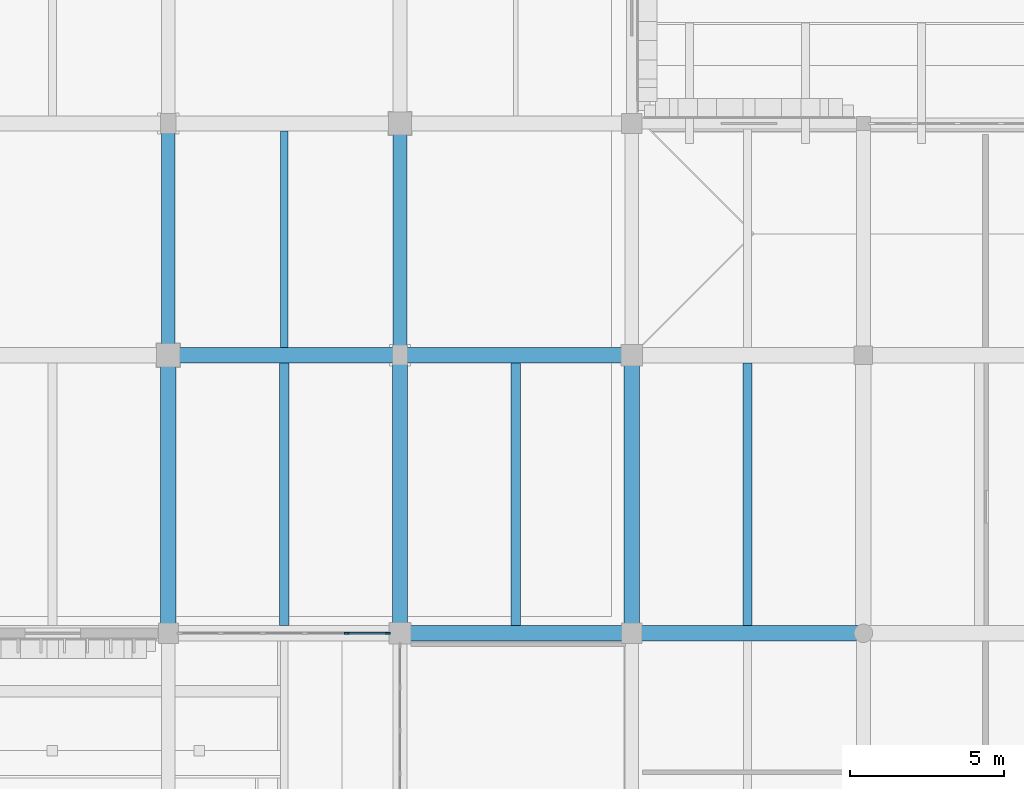
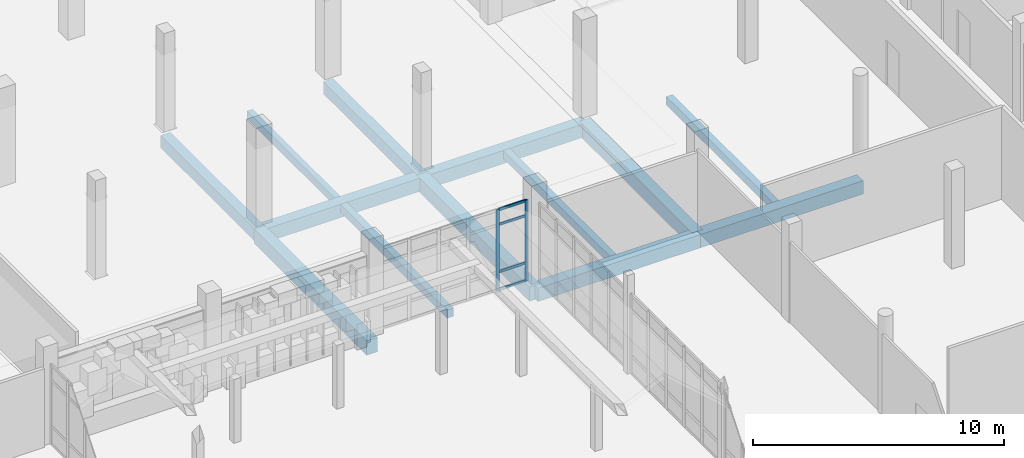
# One storey, part 63 of 125: 13 beams, 6 members, 1 element without a shape of its own.
"""IFC4 building model written with IfcOpenShell, lengths in metres."""

import ifcopenshell
import ifcopenshell.guid

model = None  # the IFC model being written
_history = None  # IfcOwnerHistory: only IFC2X3 demands one
_inside = {}  # id of a spatial element -> (the spatial element, [elements in it])
_under = {}  # id of a project, library or spatial element -> (it, [spatial elements below it])
_declared = {}  # id of a project -> (the project, [libraries it declares])
_typed = {}  # id of a type object -> (the type object, [elements of that type])
_made_of = {}  # id of a material, layer set ... -> (it, [elements and type objects made of it])


def new_model(schema):
    """Start an empty IFC model of exactly this schema.

    Asked for "IFC4X3", IfcOpenShell would pick the latest addendum, in which some entities
    have other attributes; the version numbers below select the first issue.
    IFC2X3 requires an IfcOwnerHistory on every rooted entity: one is made here for all.
    """
    global model, _history
    if schema == "IFC4X3":
        model = ifcopenshell.file(schema_version=(4, 3, 0, 0))
    else:
        model = ifcopenshell.file(schema=schema)
    _inside.clear()
    _under.clear()
    _declared.clear()
    _typed.clear()
    _made_of.clear()
    _history = None
    if model.schema == "IFC2X3":
        org = make("IfcOrganization", Name="unknown")
        user = make(
            "IfcPersonAndOrganization",
            ThePerson=make("IfcPerson", FamilyName="unknown"),
            TheOrganization=org,
        )
        app = make(
            "IfcApplication",
            ApplicationDeveloper=org,
            Version="unknown",
            ApplicationFullName="unknown",
            ApplicationIdentifier="unknown",
        )
        _history = make(
            "IfcOwnerHistory",
            OwningUser=user,
            OwningApplication=app,
            ChangeAction="ADDED",
            CreationDate=0,
        )
    return model


def make(cls, **values):
    """One entity of the class cls with the attributes given. An attribute that is None is left unset."""
    return model.create_entity(
        cls, **{name: value for name, value in values.items() if value is not None}
    )


def rooted(cls, **values):
    """An entity with a GlobalId (a new one), such as an element, a storey or a relation."""
    return make(cls, GlobalId=ifcopenshell.guid.new(), OwnerHistory=_history, **values)


def si_unit(unit_type, name, prefix=None):
    """IfcSIUnit, for example si_unit("LENGTHUNIT", "METRE", prefix="MILLI")."""
    return make("IfcSIUnit", UnitType=unit_type, Prefix=prefix, Name=name)


def assignment(units):
    """IfcUnitAssignment: the units of a project."""
    return None if units is None else make("IfcUnitAssignment", Units=units)


def point(xyz):
    """IfcCartesianPoint."""
    return None if xyz is None else make("IfcCartesianPoint", Coordinates=xyz)


def direction(xyz):
    """IfcDirection."""
    return None if xyz is None else make("IfcDirection", DirectionRatios=xyz)


def frame(location, z_axis=None, x_axis=None):
    """IfcAxis2Placement3D, a coordinate frame: its origin and axes. An axis left out is left unset."""
    return make(
        "IfcAxis2Placement3D",
        Location=point(location),
        Axis=direction(z_axis),
        RefDirection=direction(x_axis),
    )


def frame_2d(location, x_axis=None):
    """IfcAxis2Placement2D, a coordinate frame in the plane: its origin and x axis."""
    return make(
        "IfcAxis2Placement2D", Location=point(location), RefDirection=direction(x_axis)
    )


def origin():
    """The frame at (0, 0, 0) with its axes left unset."""
    return frame((0.0, 0.0, 0.0))


def origin_2d():
    """The frame at (0, 0) in the plane with its x axis left unset."""
    return frame_2d((0.0, 0.0))


def place(relative_to, where):
    """IfcLocalPlacement: puts the frame where relative to a parent placement (None: the world)."""
    return make(
        "IfcLocalPlacement", PlacementRelTo=relative_to, RelativePlacement=where
    )


def context(
    kind, dimensions, precision=None, world=None, true_north=None, identifier=None
):
    """IfcGeometricRepresentationContext, for example the 3D "Model" context."""
    return make(
        "IfcGeometricRepresentationContext",
        ContextIdentifier=identifier,
        ContextType=kind,
        CoordinateSpaceDimension=dimensions,
        Precision=precision,
        WorldCoordinateSystem=world,
        TrueNorth=true_north,
    )


def subcontext(parent, identifier, kind, view, scale=None):
    """IfcGeometricRepresentationSubContext, for example "Body" below "Model"."""
    return make(
        "IfcGeometricRepresentationSubContext",
        ContextIdentifier=identifier,
        ContextType=kind,
        ParentContext=parent,
        TargetScale=scale,
        TargetView=view,
    )


def project(units=None, contexts=None):
    """IfcProject with its units and contexts."""
    return rooted(
        "IfcProject",
        Name="project",
        RepresentationContexts=contexts,
        UnitsInContext=assignment(units),
    )


def spatial(cls, under=None, at=None, **own):
    """A site, building, storey or space (cls), placed at a placement, below another one or the project."""
    s = rooted(cls, ObjectPlacement=at, **own)
    if under is not None:
        _under.setdefault(under.id(), (under, []))[1].append(s)
    return s


def profile(cls, at=None, kind="AREA", **sizes):
    """A parametric profile (cls). Its sizes go by their IFC names, for example OverallWidth=200.0."""
    return make(cls, ProfileType=kind, Position=at, **sizes)


def rectangle(**sizes):
    """IfcRectangleProfileDef."""
    return profile("IfcRectangleProfileDef", **sizes)


def extrude(swept, where, along, depth):
    """IfcExtrudedAreaSolid: the profile swept, set in the frame where, extruded along a direction by depth."""
    return make(
        "IfcExtrudedAreaSolid",
        SweptArea=swept,
        Position=where,
        ExtrudedDirection=direction(along),
        Depth=depth,
    )


def shape(context_of_items, identifier, shape_type, items):
    """IfcShapeRepresentation: the items that make up one representation, for example the "Body"."""
    return make(
        "IfcShapeRepresentation",
        ContextOfItems=context_of_items,
        RepresentationIdentifier=identifier,
        RepresentationType=shape_type,
        Items=items,
    )


def material(Name=None, Category=None):
    """IfcMaterial."""
    return make("IfcMaterial", Name=Name, Category=Category)


def layer(
    of_material, thickness, ventilated=None, Name=None, Category=None, Priority=None
):
    """IfcMaterialLayer: one layer of a wall or slab, of a material (None: an air gap)."""
    return make(
        "IfcMaterialLayer",
        Material=of_material,
        LayerThickness=thickness,
        IsVentilated=ventilated,
        Name=Name,
        Category=Category,
        Priority=Priority,
    )


def layer_set(layers, Name=None):
    """IfcMaterialLayerSet."""
    return make("IfcMaterialLayerSet", MaterialLayers=layers, LayerSetName=Name)


def material_profile(
    of_material, cross_section, Name=None, Category=None, Priority=None
):
    """IfcMaterialProfile: a cross section and its material."""
    return make(
        "IfcMaterialProfile",
        Name=Name,
        Material=of_material,
        Profile=cross_section,
        Priority=Priority,
        Category=Category,
    )


def profile_set(profiles, Name=None, composite=None):
    """IfcMaterialProfileSet."""
    return make(
        "IfcMaterialProfileSet",
        Name=Name,
        MaterialProfiles=profiles,
        CompositeProfile=composite,
    )


def made_of(thing, what):
    """Note that an element or type object is made of a material, layer set ...; save() writes the relation."""
    if what is not None:
        _made_of.setdefault(what.id(), (what, []))[1].append(thing)
    return thing


def type_object(cls, material=None, **own):
    """A type object (cls), such as IfcWallType, which elements share."""
    return made_of(rooted(cls, **own), material)


def element(
    cls,
    number,
    at=None,
    inside=None,
    cuts=None,
    type_object=None,
    material=None,
    context=None,
    identifier="Body",
    shape_type=None,
    held_by="IfcProductDefinitionShape",
    body=None,
    shapes=None,
    **own,
):
    """One element of the class cls, such as IfcWall. Its Tag is "e" and its number.

    at: its placement. inside: the storey or other place that contains it. cuts: it is an
    opening in that element (IfcRelVoidsElement). A single representation is given by context,
    identifier, shape_type and body (its items); several are given by shapes. held_by: the class
    of the entity that holds the representations. save() writes the other relations.
    """
    e = rooted(cls, Tag="e%d" % number, ObjectPlacement=at, **own)
    if body is not None:
        shapes = [shape(context, identifier, shape_type, body)]
    if shapes is not None:
        e.Representation = make(held_by, Representations=shapes)
    if inside is not None:
        _inside.setdefault(inside.id(), (inside, []))[1].append(e)
    if cuts is not None:
        rooted(
            "IfcRelVoidsElement", RelatingBuildingElement=cuts, RelatedOpeningElement=e
        )
    if type_object is not None:
        _typed.setdefault(type_object.id(), (type_object, []))[1].append(e)
    return made_of(e, material)


def aggregate(whole, parts):
    """IfcRelAggregates: a whole, such as a stair, and the parts it consists of."""
    return rooted("IfcRelAggregates", RelatingObject=whole, RelatedObjects=parts)


def save(model, path):
    """Write the relations noted so far, then the file.

    IfcRelAggregates (storeys below a building ...), IfcRelContainedInSpatialStructure (elements
    in a storey), IfcRelDefinesByType, IfcRelAssociatesMaterial and IfcRelDeclares: one each for
    every whole, place, type object, material and project.
    """
    for whole, parts in _under.values():
        aggregate(whole, parts)
    for where, things in _inside.values():
        rooted(
            "IfcRelContainedInSpatialStructure",
            RelatedElements=things,
            RelatingStructure=where,
        )
    for kind, things in _typed.values():
        rooted("IfcRelDefinesByType", RelatedObjects=things, RelatingType=kind)
    for what, things in _made_of.values():
        rooted("IfcRelAssociatesMaterial", RelatedObjects=things, RelatingMaterial=what)
    for by, libraries in _declared.values():
        rooted("IfcRelDeclares", RelatingContext=by, RelatedDefinitions=libraries)
    model.write(path)


model = new_model("IFC4")

# Units and contexts
model_context = context("Model", 3, precision=1e-05, world=origin(), true_north=direction((0.0, 1.0)))
body_context = subcontext(model_context, "Body", "Model", "MODEL_VIEW")
ifc_project = project(units=[si_unit("LENGTHUNIT", "METRE"), si_unit("AREAUNIT", "SQUARE_METRE"), si_unit("VOLUMEUNIT", "CUBIC_METRE"), si_unit("PLANEANGLEUNIT", "RADIAN"), si_unit("MASSUNIT", "GRAM", prefix="KILO")], contexts=[model_context])

# Site, building, storey
site_placement = place(None, origin())
site = spatial("IfcSite", under=ifc_project, at=site_placement, CompositionType="ELEMENT")
building_placement = place(site_placement, origin())
building = spatial("IfcBuilding", under=site, at=building_placement, Name="Dalvernix Boulevard General Hospital", CompositionType="ELEMENT")
storey_placement = place(building_placement, origin())
storey = spatial("IfcBuildingStorey", under=building, at=storey_placement, Name="L00", CompositionType="ELEMENT", Elevation=0.0)

# Beams
ifc_material_1 = material(Name="Concrete C35/45", Category="concrete")
ifc_material_profile_1 = material_profile(ifc_material_1, rectangle(XDim=0.5, YDim=0.699951171875, at=origin_2d()), Name="RCB 500x700")
ifc_profile_set_1 = profile_set([ifc_material_profile_1], Name="Concrete C35/45")
beam_type_1 = type_object("IfcBeamType", Name="BM-B-01-I", PredefinedType="BEAM", material=ifc_profile_set_1)
for number, where, z_axis, x_axis, name in (
    (1, (127.5, 76.5, -0.7099609375), (0.0, 1.0, 0.0), (-1.0, 0.0, 0.0), "L00 N-S girder 18:L-M"),
    (2, (135.0, 76.5, -0.7099609375), (0.0, 1.0, 0.0), (-1.0, 0.0, 0.0), "L00 N-S girder 19:L-M"),
    (3, (142.5, 76.5, -0.7099609375), (0.0, 1.0, 0.0), (-1.0, 0.0, 0.0), "L00 N-S girder 20:L-M"),
):
    element("IfcBeam", number, at=place(storey_placement, frame(where, z_axis=z_axis, x_axis=x_axis)), inside=storey, type_object=beam_type_1, Name=name, PredefinedType="BEAM", context=body_context, shape_type="SweptSolid", body=[
        extrude(rectangle(XDim=0.5, YDim=0.699951171875, at=origin_2d()), origin(), (0.0, 0.0, 1.0), 9.0),
    ])
ifc_material_profile_2 = material_profile(ifc_material_1, rectangle(XDim=0.5, YDim=0.64990234375, at=origin_2d()), Name="RCB 500x650")
ifc_profile_set_2 = profile_set([ifc_material_profile_2], Name="Concrete C35/45")
beam_type_2 = type_object("IfcBeamType", Name="BM-B-02-I", PredefinedType="BEAM", material=ifc_profile_set_2)
for number, where, z_axis, x_axis, name in (
    (4, (135.0, 76.5, -0.68505859375), (1.0, 0.0, 0.0), (0.0, 1.0, 0.0), "L00 E-W girder L:19-20"),
    (5, (142.5, 76.5, -0.68505859375), (1.0, 0.0, 0.0), (0.0, 1.0, 0.0), "L00 E-W girder L:20-21"),
    (6, (127.5, 85.5, -0.68505859375), (1.0, 0.0, 0.0), (0.0, 1.0, 0.0), "L00 E-W girder M:18-19"),
    (7, (135.0, 85.5, -0.68505859375), (1.0, 0.0, 0.0), (0.0, 1.0, 0.0), "L00 E-W girder M:19-20"),
):
    element("IfcBeam", number, at=place(storey_placement, frame(where, z_axis=z_axis, x_axis=x_axis)), inside=storey, type_object=beam_type_2, Name=name, PredefinedType="BEAM", context=body_context, shape_type="SweptSolid", body=[
        extrude(rectangle(XDim=0.5, YDim=0.64990234375, at=origin_2d()), origin(), (0.0, 0.0, 1.0), 7.5),
    ])
ifc_material_profile_3 = material_profile(ifc_material_1, rectangle(XDim=0.449951171875, YDim=0.60009765625, at=origin_2d()), Name="RCB 450x600")
ifc_profile_set_3 = profile_set([ifc_material_profile_3], Name="Concrete C35/45")
beam_type_3 = type_object("IfcBeamType", Name="BM-B-04-I", PredefinedType="BEAM", material=ifc_profile_set_3)
for number, where, z_axis, x_axis, name in (
    (8, (127.5, 85.5, -0.659912109375), (0.0, 1.0, 0.0), (-1.0, 0.0, 0.0), "L00 N-S girder 18:M-N"),
    (9, (135.0, 85.5, -0.659912109375), (0.0, 1.0, 0.0), (-1.0, 0.0, 0.0), "L00 N-S girder 19:M-N"),
):
    element("IfcBeam", number, at=place(storey_placement, frame(where, z_axis=z_axis, x_axis=x_axis)), inside=storey, type_object=beam_type_3, Name=name, PredefinedType="BEAM", context=body_context, shape_type="SweptSolid", body=[
        extrude(rectangle(XDim=0.449951171875, YDim=0.60009765625, at=origin_2d()), origin(), (0.0, 0.0, 1.0), 7.5),
    ])
ifc_material_profile_4 = material_profile(ifc_material_1, rectangle(XDim=0.300048828125, YDim=0.39990234375, at=origin_2d()), Name="RCB 300x400")
ifc_profile_set_4 = profile_set([ifc_material_profile_4], Name="Concrete C35/45")
beam_type_4 = type_object("IfcBeamType", Name="BM-JB-01", PredefinedType="JOIST", material=ifc_profile_set_4)
for number, where, z_axis, x_axis, name in (
    (10, (131.25, 76.75, -0.56005859375), (0.0, 1.0, 0.0), (-1.0, 0.0, 0.0), "L00 secondary floor beam 18-L"),
    (11, (138.75, 76.75, -0.56005859375), (0.0, 1.0, 0.0), (-1.0, 0.0, 0.0), "L00 secondary floor beam 19-L"),
    (12, (146.25, 76.75, -0.56005859375), (0.0, 1.0, 0.0), (-1.0, 0.0, 0.0), "L00 secondary floor beam 20-L"),
):
    element("IfcBeam", number, at=place(storey_placement, frame(where, z_axis=z_axis, x_axis=x_axis)), inside=storey, type_object=beam_type_4, Name=name, PredefinedType="JOIST", context=body_context, shape_type="SweptSolid", body=[
        extrude(rectangle(XDim=0.300048828125, YDim=0.39990234375, at=origin_2d()), origin(), (0.0, 0.0, 1.0), 8.5),
    ])
ifc_material_profile_5 = material_profile(ifc_material_1, rectangle(XDim=0.25, YDim=0.39990234375, at=origin_2d()), Name="RCB 250x400")
ifc_profile_set_5 = profile_set([ifc_material_profile_5], Name="Concrete C35/45")
beam_type_5 = type_object("IfcBeamType", Name="BM-JB-02", PredefinedType="JOIST", material=ifc_profile_set_5)
beam_placement = place(storey_placement, frame((131.25, 85.75, -0.56005859375), z_axis=(0.0, 1.0, 0.0), x_axis=(-1.0, 0.0, 0.0)))
element("IfcBeam", 13, at=beam_placement, inside=storey, type_object=beam_type_5, Name="L00 secondary floor beam 18-M", PredefinedType="JOIST", context=body_context, shape_type="SweptSolid", body=[
    extrude(rectangle(XDim=0.25, YDim=0.39990234375, at=origin_2d()), origin(), (0.0, 0.0, 1.0), 7.0),
])

# Curtain wall, members
ifc_material_2 = material(Name="Thermally broken aluminium and solar-control glass curtain wall", Category="aluminium")
ifc_layer = layer(ifc_material_2, 0.159912109375)
ifc_layer_set = layer_set([ifc_layer], Name="Thermally broken aluminium and solar-control glass curtain wall (CW-CW-A-68x40)")
curtain_wall_type = type_object("IfcCurtainWallType", Name="CW-CW-A-68x40", PredefinedType="USERDEFINED", material=ifc_layer_set)
curtain_wall_placement = place(storey_placement, origin())
curtain_wall = element("IfcCurtainWall", 14, at=curtain_wall_placement, inside=storey, type_object=curtain_wall_type, Name="L00 curtain wall CW-A-68x40 17-10", ObjectType="GLAZED FACADE", PredefinedType="USERDEFINED")
ifc_material_3 = material(Name="Aluminium EN AW-6060", Category="aluminium")
ifc_material_profile_6 = material_profile(ifc_material_3, rectangle(XDim=0.06005859375, YDim=0.159912109375, at=origin_2d()), Name="ALU MULL 60x160")
ifc_profile_set_6 = profile_set([ifc_material_profile_6], Name="Aluminium EN AW-6060")
member_type_1 = type_object("IfcMemberType", Name="MEM-CW-M1", PredefinedType="MULLION", material=ifc_profile_set_6)
member_1_placement = place(storey_placement, frame((134.610107421875, 76.5, 0.0), z_axis=(0.0, 0.0, 1.0), x_axis=(0.0, -1.0, 0.0)))
member_1 = element("IfcMember", 15, at=member_1_placement, type_object=member_type_1, Name="CW-A-68x40 mullion 1", PredefinedType="MULLION", context=body_context, shape_type="SweptSolid", body=[
    extrude(rectangle(XDim=0.06005859375, YDim=0.159912109375, at=origin_2d()), origin(), (0.0, 0.0, 1.0), 3.949951171875),
])
member_2_placement = place(storey_placement, frame((133.279052734375, 76.5, 0.0), z_axis=(0.0, 0.0, 1.0), x_axis=(0.0, -1.0, 0.0)))
member_2 = element("IfcMember", 16, at=member_2_placement, type_object=member_type_1, Name="CW-A-68x40 mullion 2", PredefinedType="MULLION", context=body_context, shape_type="SweptSolid", body=[
    extrude(rectangle(XDim=0.06005859375, YDim=0.159912109375, at=origin_2d()), origin(), (0.0, 0.0, 1.0), 3.949951171875),
])
ifc_material_profile_7 = material_profile(ifc_material_3, rectangle(XDim=0.06005859375, YDim=0.1201171875, at=origin_2d()), Name="ALU TRAN 60x120")
ifc_profile_set_7 = profile_set([ifc_material_profile_7], Name="Aluminium EN AW-6060")
member_type_2 = type_object("IfcMemberType", Name="MEM-CW-T1", PredefinedType="USERDEFINED", material=ifc_profile_set_7)
member_3_placement = place(storey_placement, frame((134.580078125, 76.5, 0.030029296875), z_axis=(-1.0, 0.0, 0.0), x_axis=(0.0, -1.0, 0.0)))
member_3 = element("IfcMember", 17, at=member_3_placement, type_object=member_type_2, Name="CW-A-68x40 transom 1.1", ObjectType="TRANSOM", PredefinedType="USERDEFINED", context=body_context, shape_type="SweptSolid", body=[
    extrude(rectangle(XDim=0.06005859375, YDim=0.1201171875, at=origin_2d()), origin(), (0.0, 0.0, 1.0), 1.27099609375),
])
member_4_placement = place(storey_placement, frame((134.580078125, 76.5, 0.89990234375), z_axis=(-1.0, 0.0, 0.0), x_axis=(0.0, -1.0, 0.0)))
member_4 = element("IfcMember", 18, at=member_4_placement, type_object=member_type_2, Name="CW-A-68x40 transom 1.2", ObjectType="TRANSOM", PredefinedType="USERDEFINED", context=body_context, shape_type="SweptSolid", body=[
    extrude(rectangle(XDim=0.06005859375, YDim=0.1201171875, at=origin_2d()), origin(), (0.0, 0.0, 1.0), 1.27099609375),
])
member_5_placement = place(storey_placement, frame((134.580078125, 76.5, 3.199951171875), z_axis=(-1.0, 0.0, 0.0), x_axis=(0.0, -1.0, 0.0)))
member_5 = element("IfcMember", 19, at=member_5_placement, type_object=member_type_2, Name="CW-A-68x40 transom 1.3", ObjectType="TRANSOM", PredefinedType="USERDEFINED", context=body_context, shape_type="SweptSolid", body=[
    extrude(rectangle(XDim=0.06005859375, YDim=0.1201171875, at=origin_2d()), origin(), (0.0, 0.0, 1.0), 1.27099609375),
])
member_6_placement = place(storey_placement, frame((134.580078125, 76.5, 3.919921875), z_axis=(-1.0, 0.0, 0.0), x_axis=(0.0, -1.0, 0.0)))
member_6 = element("IfcMember", 20, at=member_6_placement, type_object=member_type_2, Name="CW-A-68x40 transom 1.4", ObjectType="TRANSOM", PredefinedType="USERDEFINED", context=body_context, shape_type="SweptSolid", body=[
    extrude(rectangle(XDim=0.06005859375, YDim=0.1201171875, at=origin_2d()), origin(), (0.0, 0.0, 1.0), 1.27099609375),
])
aggregate(curtain_wall, [member_1, member_2, member_3, member_4, member_5, member_6])

save(model, "model.ifc")
